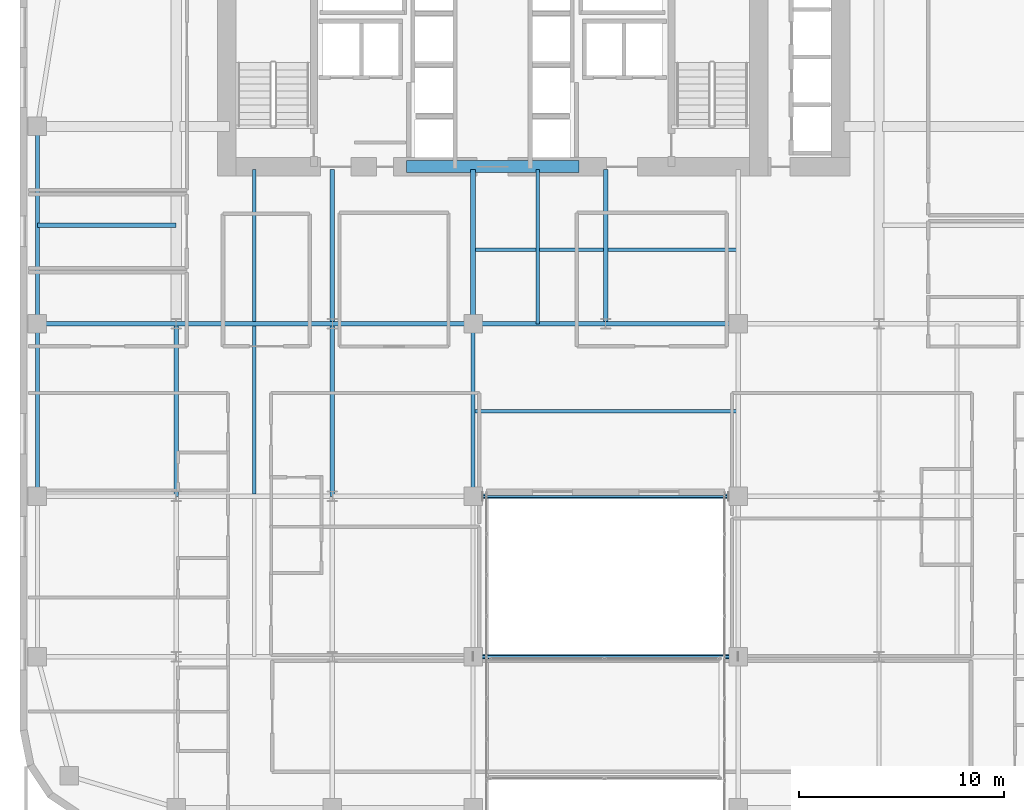
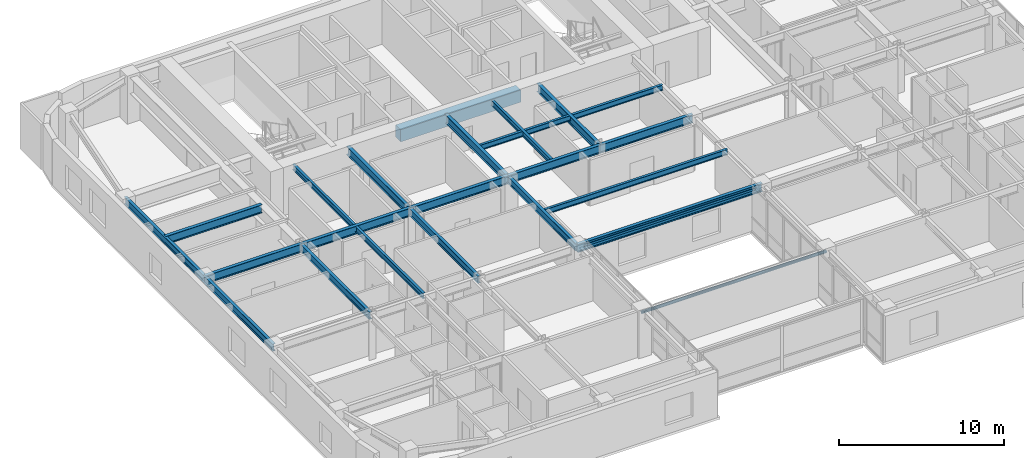
# One storey, part 4 of 25: 21 beams, 2 members.
"""IFC4 building model written with IfcOpenShell, lengths in metres."""

from ifc_helpers import new_model, si_unit, direction, frame, origin, origin_2d, place, context, subcontext, project, spatial, rectangle, hollow_rectangle, hollow_circle, i_section, extrude, source, transform, mapped, material, material_profile, profile_set, type_object, type_shapes, element, save


model = new_model("IFC4")

# Units and contexts
model_context = context("Model", 3, precision=1e-05, world=origin(), true_north=direction((0.0, 1.0)))
body_context = subcontext(model_context, "Body", "Model", "MODEL_VIEW")
ifc_project = project(units=[si_unit("LENGTHUNIT", "METRE"), si_unit("AREAUNIT", "SQUARE_METRE"), si_unit("VOLUMEUNIT", "CUBIC_METRE"), si_unit("PLANEANGLEUNIT", "RADIAN"), si_unit("MASSUNIT", "GRAM", prefix="KILO")], contexts=[model_context])

# Site, building, storey
site_placement = place(None, origin())
site = spatial("IfcSite", under=ifc_project, at=site_placement, CompositionType="ELEMENT")
building_placement = place(site_placement, origin())
building = spatial("IfcBuilding", under=site, at=building_placement, Name="Tolvann Quenvar Hotel", CompositionType="ELEMENT")
storey_placement = place(building_placement, frame((0.0, 0.0, 78.14990234375)))
storey = spatial("IfcBuildingStorey", under=building, at=storey_placement, Name="L19", CompositionType="ELEMENT", Elevation=78.14990234375)

# Beams
ifc_material_1 = material(Name="Concrete N50 (50 MPa)", Category="concrete")
ifc_material_profile_1 = material_profile(ifc_material_1, rectangle(XDim=0.60009765625, YDim=0.89990234375, at=origin_2d()), Name="RC600x900")
ifc_profile_set_1 = profile_set([ifc_material_profile_1], Name="Concrete N50 (50 MPa)")
beam_type_1 = type_object("IfcBeamType", Name="BM_LINT_RC600x900", PredefinedType="LINTEL", material=ifc_profile_set_1)
shared_shape_1 = source(origin(), body_context, "Body", "SweptSolid", [
    extrude(rectangle(XDim=0.60009765625, YDim=0.89990234375, at=origin_2d()), origin(), (0.0, 0.0, 1.0), 8.39990234375),
])
type_shapes(beam_type_1, [shared_shape_1])
beam_1_placement = place(storey_placement, frame((18.800048828125, 32.050048828125, 2.920166015625), z_axis=(1.0, 0.0, 0.0), x_axis=(0.0, 1.0, 0.0)))
element("IfcBeam", 1, at=beam_1_placement, inside=storey, type_object=beam_type_1, Name="Core Coupling Lintel Beam (L19)", PredefinedType="LINTEL", context=body_context, shape_type="MappedRepresentation", body=[
    mapped(shared_shape_1, transform((0.0, 0.0, 0.0), x_axis=(1.0, 0.0, 0.0), y_axis=(0.0, 1.0, 0.0), z_axis=(0.0, 0.0, 1.0), scale=1.0)),
])
ifc_material_2 = material(Name="Steel Grade 350", Category="steel")
ifc_material_profile_2 = material_profile(ifc_material_2, i_section(OverallWidth=0.22900390625, OverallDepth=0.612060546875, WebThickness=0.011962890625, FlangeThickness=0.01953125, FilletRadius=0.013916015625, at=origin_2d()), Name="610UB125")
ifc_profile_set_2 = profile_set([ifc_material_profile_2], Name="Steel Grade 350")
beam_type_2 = type_object("IfcBeamType", Name="BM_GIRD_610UB125", PredefinedType="BEAM", material=ifc_profile_set_2)
shared_shape_2 = source(origin(), body_context, "Body", "SweptSolid", [
    extrude(i_section(OverallWidth=0.22900390625, OverallDepth=0.612060546875, WebThickness=0.011962890625, FlangeThickness=0.01953125, FilletRadius=0.013916015625, at=origin_2d()), origin(), (0.0, 0.0, 1.0), 6.75),
])
for number, where, z_axis, x_axis, name in (
    (2, (0.85009765625, 24.39990234375, 3.064208984375), (1.0, 0.0, 0.0), (0.0, 1.0, 0.0), "BM-L19-EW-5-B5-C5"),
    (3, (0.85009765625, 29.199951171875, 3.064208984375), (1.0, 0.0, 0.0), (0.0, 1.0, 0.0), "BM-L19-EW-BC29"),
):
    element("IfcBeam", number, at=place(storey_placement, frame(where, z_axis=z_axis, x_axis=x_axis)), inside=storey, type_object=beam_type_2, Name=name, PredefinedType="BEAM", context=body_context, shape_type="MappedRepresentation", body=[
        mapped(shared_shape_2, transform((0.0, 0.0, 0.0), x_axis=(1.0, 0.0, 0.0), y_axis=(0.0, 1.0, 0.0), z_axis=(0.0, 0.0, 1.0), scale=1.0)),
    ])
shared_shape_3 = source(origin(), body_context, "Body", "SweptSolid", [
    extrude(i_section(OverallWidth=0.22900390625, OverallDepth=0.612060546875, WebThickness=0.011962890625, FlangeThickness=0.01953125, FilletRadius=0.013916015625, at=origin_2d()), origin(), (0.0, 0.0, 1.0), 7.599853515625),
])
beam_2_placement = place(storey_placement, frame((7.60009765625, 24.39990234375, 3.064208984375), z_axis=(1.0, 0.0, 0.0), x_axis=(0.0, 1.0, 0.0)))
element("IfcBeam", 4, at=beam_2_placement, inside=storey, type_object=beam_type_2, Name="BM-L19-EW-5-C5-D5", PredefinedType="BEAM", context=body_context, shape_type="MappedRepresentation", body=[
    mapped(shared_shape_3, transform((0.0, 0.0, 0.0), x_axis=(1.0, 0.0, 0.0), y_axis=(0.0, 1.0, 0.0), z_axis=(0.0, 0.0, 1.0), scale=1.0)),
])
shared_shape_4 = source(origin(), body_context, "Body", "SweptSolid", [
    extrude(i_section(OverallWidth=0.22900390625, OverallDepth=0.612060546875, WebThickness=0.011962890625, FlangeThickness=0.01953125, FilletRadius=0.013916015625, at=origin_2d()), origin(), (0.0, 0.0, 1.0), 6.85009765625),
])
beam_3_placement = place(storey_placement, frame((15.199951171875, 24.39990234375, 3.064208984375), z_axis=(1.0, 0.0, 0.0), x_axis=(0.0, 1.0, 0.0)))
element("IfcBeam", 5, at=beam_3_placement, inside=storey, type_object=beam_type_2, Name="BM-L19-EW-5-D5-E5", PredefinedType="BEAM", context=body_context, shape_type="MappedRepresentation", body=[
    mapped(shared_shape_4, transform((0.0, 0.0, 0.0), x_axis=(1.0, 0.0, 0.0), y_axis=(0.0, 1.0, 0.0), z_axis=(0.0, 0.0, 1.0), scale=1.0)),
])
shared_shape_5 = source(origin(), body_context, "Body", "SweptSolid", [
    extrude(i_section(OverallWidth=0.22900390625, OverallDepth=0.612060546875, WebThickness=0.011962890625, FlangeThickness=0.01953125, FilletRadius=0.013916015625, at=origin_2d()), origin(), (0.0, 0.0, 1.0), 12.89990234375),
])
beam_4_placement = place(storey_placement, frame((22.050048828125, 16.0, 3.064208984375), z_axis=(1.0, 0.0, 0.0), x_axis=(0.0, 1.0, 0.0)))
element("IfcBeam", 6, at=beam_4_placement, inside=storey, type_object=beam_type_2, Name="BM-L19-EW-4-E4-F4", PredefinedType="BEAM", context=body_context, shape_type="MappedRepresentation", body=[
    mapped(shared_shape_5, transform((0.0, 0.0, 0.0), x_axis=(1.0, 0.0, 0.0), y_axis=(0.0, 1.0, 0.0), z_axis=(0.0, 0.0, 1.0), scale=1.0)),
])
shared_shape_6 = source(origin(), body_context, "Body", "SweptSolid", [
    extrude(i_section(OverallWidth=0.22900390625, OverallDepth=0.612060546875, WebThickness=0.011962890625, FlangeThickness=0.01953125, FilletRadius=0.013916015625, at=origin_2d()), origin(), (0.0, 0.0, 1.0), 6.449951171875),
])
for number, where, z_axis, x_axis, name in (
    (7, (22.050048828125, 24.39990234375, 3.064208984375), (1.0, 0.0, 0.0), (0.0, 1.0, 0.0), "BM-L19-EW-5-E5-M5"),
    (8, (28.5, 24.39990234375, 3.064208984375), (1.0, 0.0, 0.0), (0.0, 1.0, 0.0), "BM-L19-EW-5-M5-F5"),
):
    element("IfcBeam", number, at=place(storey_placement, frame(where, z_axis=z_axis, x_axis=x_axis)), inside=storey, type_object=beam_type_2, Name=name, PredefinedType="BEAM", context=body_context, shape_type="MappedRepresentation", body=[
        mapped(shared_shape_6, transform((0.0, 0.0, 0.0), x_axis=(1.0, 0.0, 0.0), y_axis=(0.0, 1.0, 0.0), z_axis=(0.0, 0.0, 1.0), scale=1.0)),
    ])
ifc_material_profile_3 = material_profile(ifc_material_2, i_section(OverallWidth=0.208984375, OverallDepth=0.528076171875, WebThickness=0.009521484375, FlangeThickness=0.01318359375, FilletRadius=0.013916015625, at=origin_2d()), Name="530UB82")
ifc_profile_set_3 = profile_set([ifc_material_profile_3], Name="Steel Grade 350")
beam_type_3 = type_object("IfcBeamType", Name="BM_SPAND_530UB82", PredefinedType="SPANDREL", material=ifc_profile_set_3)
shared_shape_7 = source(origin(), body_context, "Body", "SweptSolid", [
    extrude(i_section(OverallWidth=0.208984375, OverallDepth=0.528076171875, WebThickness=0.009521484375, FlangeThickness=0.01318359375, FilletRadius=0.013916015625, at=origin_2d()), origin(), (0.0, 0.0, 1.0), 8.39990234375),
])
beam_5_placement = place(storey_placement, frame((0.85009765625, 16.0, 3.106201171875), z_axis=(0.0, 1.0, 0.0), x_axis=(-1.0, 0.0, 0.0)))
element("IfcBeam", 9, at=beam_5_placement, inside=storey, type_object=beam_type_3, Name="BM-L19-NS-B4-B5", PredefinedType="SPANDREL", context=body_context, shape_type="MappedRepresentation", body=[
    mapped(shared_shape_7, transform((0.0, 0.0, 0.0), x_axis=(1.0, 0.0, 0.0), y_axis=(0.0, 1.0, 0.0), z_axis=(0.0, 0.0, 1.0), scale=1.0)),
])
ifc_material_profile_4 = material_profile(ifc_material_2, i_section(OverallWidth=0.208984375, OverallDepth=0.532958984375, WebThickness=0.01025390625, FlangeThickness=0.015625, FilletRadius=0.013916015625, at=origin_2d()), Name="530UB92")
ifc_profile_set_4 = profile_set([ifc_material_profile_4], Name="Steel Grade 350")
beam_type_4 = type_object("IfcBeamType", Name="BM_GIRD_530UB92", PredefinedType="BEAM", material=ifc_profile_set_4)
shared_shape_8 = source(origin(), body_context, "Body", "SweptSolid", [
    extrude(i_section(OverallWidth=0.208984375, OverallDepth=0.532958984375, WebThickness=0.01025390625, FlangeThickness=0.015625, FilletRadius=0.013916015625, at=origin_2d()), origin(), (0.0, 0.0, 1.0), 8.39990234375),
])
type_shapes(beam_type_4, [shared_shape_8])
for number, where, z_axis, x_axis, name in (
    (10, (7.60009765625, 16.0, 3.103515625), (0.0, 1.0, 0.0), (-1.0, 0.0, 0.0), "BM-L19-NS-C4-C5"),
    (11, (15.199951171875, 16.0, 3.103515625), (0.0, 1.0, 0.0), (-1.0, 0.0, 0.0), "BM-L19-NS-D4-D5"),
    (12, (22.050048828125, 16.0, 3.103515625), (0.0, 1.0, 0.0), (-1.0, 0.0, 0.0), "BM-L19-NS-E4-E5"),
):
    element("IfcBeam", number, at=place(storey_placement, frame(where, z_axis=z_axis, x_axis=x_axis)), inside=storey, type_object=beam_type_4, Name=name, PredefinedType="BEAM", context=body_context, shape_type="MappedRepresentation", body=[
        mapped(shared_shape_8, transform((0.0, 0.0, 0.0), x_axis=(1.0, 0.0, 0.0), y_axis=(0.0, 1.0, 0.0), z_axis=(0.0, 0.0, 1.0), scale=1.0)),
    ])
shared_shape_9 = source(origin(), body_context, "Body", "SweptSolid", [
    extrude(i_section(OverallWidth=0.22900390625, OverallDepth=0.612060546875, WebThickness=0.011962890625, FlangeThickness=0.01953125, FilletRadius=0.013916015625, at=origin_2d()), origin(), (0.0, 0.0, 1.0), 7.5),
])
type_shapes(beam_type_2, [shared_shape_2, shared_shape_3, shared_shape_4, shared_shape_5, shared_shape_6, shared_shape_9])
for number, where, z_axis, x_axis, name in (
    (13, (15.199951171875, 24.39990234375, 3.064208984375), (0.0, 1.0, 0.0), (-1.0, 0.0, 0.0), "BM-L19-CORE-D5"),
    (14, (22.050048828125, 24.39990234375, 3.064208984375), (0.0, 1.0, 0.0), (-1.0, 0.0, 0.0), "BM-L19-CORE-E5"),
    (15, (28.5, 24.39990234375, 3.064208984375), (0.0, 1.0, 0.0), (-1.0, 0.0, 0.0), "BM-L19-CORE-M5"),
):
    element("IfcBeam", number, at=place(storey_placement, frame(where, z_axis=z_axis, x_axis=x_axis)), inside=storey, type_object=beam_type_2, Name=name, PredefinedType="BEAM", context=body_context, shape_type="MappedRepresentation", body=[
        mapped(shared_shape_9, transform((0.0, 0.0, 0.0), x_axis=(1.0, 0.0, 0.0), y_axis=(0.0, 1.0, 0.0), z_axis=(0.0, 0.0, 1.0), scale=1.0)),
    ])
shared_shape_10 = source(origin(), body_context, "Body", "SweptSolid", [
    extrude(i_section(OverallWidth=0.208984375, OverallDepth=0.528076171875, WebThickness=0.009521484375, FlangeThickness=0.01318359375, FilletRadius=0.013916015625, at=origin_2d()), origin(), (0.0, 0.0, 1.0), 9.60009765625),
])
type_shapes(beam_type_3, [shared_shape_7, shared_shape_10])
beam_6_placement = place(storey_placement, frame((0.85009765625, 24.39990234375, 3.106201171875), z_axis=(0.0, 1.0, 0.0), x_axis=(-1.0, 0.0, 0.0)))
element("IfcBeam", 16, at=beam_6_placement, inside=storey, type_object=beam_type_3, Name="BM-L19-FLK-W1", PredefinedType="SPANDREL", context=body_context, shape_type="MappedRepresentation", body=[
    mapped(shared_shape_10, transform((0.0, 0.0, 0.0), x_axis=(1.0, 0.0, 0.0), y_axis=(0.0, 1.0, 0.0), z_axis=(0.0, 0.0, 1.0), scale=1.0)),
])
ifc_material_profile_5 = material_profile(ifc_material_2, i_section(OverallWidth=0.177978515625, OverallDepth=0.406005859375, WebThickness=0.0078125, FlangeThickness=0.0126953125, FilletRadius=0.011474609375, at=origin_2d()), Name="410UB60")
ifc_profile_set_5 = profile_set([ifc_material_profile_5], Name="Steel Grade 350")
beam_type_5 = type_object("IfcBeamType", Name="BM_JOIST_410UB60", PredefinedType="JOIST", material=ifc_profile_set_5)
shared_shape_11 = source(origin(), body_context, "Body", "SweptSolid", [
    extrude(i_section(OverallWidth=0.177978515625, OverallDepth=0.406005859375, WebThickness=0.0078125, FlangeThickness=0.0126953125, FilletRadius=0.011474609375, at=origin_2d()), origin(), (0.0, 0.0, 1.0), 12.89990234375),
])
for number, where, z_axis, x_axis, name in (
    (17, (22.050048828125, 20.14990234375, 3.1669921875), (1.0, 0.0, 0.0), (0.0, 1.0, 0.0), "BM-L19-SPINE-20"),
    (18, (22.050048828125, 28.0, 3.1669921875), (1.0, 0.0, 0.0), (0.0, 1.0, 0.0), "BM-L19-SPINE-28"),
):
    element("IfcBeam", number, at=place(storey_placement, frame(where, z_axis=z_axis, x_axis=x_axis)), inside=storey, type_object=beam_type_5, Name=name, PredefinedType="JOIST", context=body_context, shape_type="MappedRepresentation", body=[
        mapped(shared_shape_11, transform((0.0, 0.0, 0.0), x_axis=(1.0, 0.0, 0.0), y_axis=(0.0, 1.0, 0.0), z_axis=(0.0, 0.0, 1.0), scale=1.0)),
    ])
shared_shape_12 = source(origin(), body_context, "Body", "SweptSolid", [
    extrude(i_section(OverallWidth=0.177978515625, OverallDepth=0.406005859375, WebThickness=0.0078125, FlangeThickness=0.0126953125, FilletRadius=0.011474609375, at=origin_2d()), origin(), (0.0, 0.0, 1.0), 8.18310546875),
])
beam_7_placement = place(storey_placement, frame((11.39990234375, 16.1083984375, 3.1669921875), z_axis=(0.0, 1.0, 0.0), x_axis=(-1.0, 0.0, 0.0)))
element("IfcBeam", 19, at=beam_7_placement, inside=storey, type_object=beam_type_5, Name="BJ-L19-114-160", PredefinedType="JOIST", context=body_context, shape_type="MappedRepresentation", body=[
    mapped(shared_shape_12, transform((0.0, 0.0, 0.0), x_axis=(1.0, 0.0, 0.0), y_axis=(0.0, 1.0, 0.0), z_axis=(0.0, 0.0, 1.0), scale=1.0)),
])
shared_shape_13 = source(origin(), body_context, "Body", "SweptSolid", [
    extrude(i_section(OverallWidth=0.177978515625, OverallDepth=0.406005859375, WebThickness=0.0078125, FlangeThickness=0.0126953125, FilletRadius=0.011474609375, at=origin_2d()), origin(), (0.0, 0.0, 1.0), 7.391357421875),
])
beam_8_placement = place(storey_placement, frame((11.39990234375, 24.508544921875, 3.1669921875), z_axis=(0.0, 1.0, 0.0), x_axis=(-1.0, 0.0, 0.0)))
element("IfcBeam", 20, at=beam_8_placement, inside=storey, type_object=beam_type_5, Name="BJ-L19-114-244", PredefinedType="JOIST", context=body_context, shape_type="MappedRepresentation", body=[
    mapped(shared_shape_13, transform((0.0, 0.0, 0.0), x_axis=(1.0, 0.0, 0.0), y_axis=(0.0, 1.0, 0.0), z_axis=(0.0, 0.0, 1.0), scale=1.0)),
])
shared_shape_14 = source(origin(), body_context, "Body", "SweptSolid", [
    extrude(i_section(OverallWidth=0.177978515625, OverallDepth=0.406005859375, WebThickness=0.0078125, FlangeThickness=0.0126953125, FilletRadius=0.011474609375, at=origin_2d()), origin(), (0.0, 0.0, 1.0), 7.5),
])
type_shapes(beam_type_5, [shared_shape_11, shared_shape_12, shared_shape_13, shared_shape_14])
beam_9_placement = place(storey_placement, frame((25.199951171875, 24.39990234375, 3.1669921875), z_axis=(0.0, 1.0, 0.0), x_axis=(-1.0, 0.0, 0.0)))
element("IfcBeam", 21, at=beam_9_placement, inside=storey, type_object=beam_type_5, Name="BJ-L19-252-244", PredefinedType="JOIST", context=body_context, shape_type="MappedRepresentation", body=[
    mapped(shared_shape_14, transform((0.0, 0.0, 0.0), x_axis=(1.0, 0.0, 0.0), y_axis=(0.0, 1.0, 0.0), z_axis=(0.0, 0.0, 1.0), scale=1.0)),
])

# Members
ifc_material_3 = material(Name="Steel Grade 450 (C450L0)", Category="steel")
ifc_material_profile_6 = material_profile(ifc_material_3, hollow_circle(Radius=0.109619140625, WallThickness=0.00830078125, at=origin_2d()), Name="219.1x8.2CHS")
ifc_profile_set_6 = profile_set([ifc_material_profile_6], Name="Steel Grade 450 (C450L0)")
member_type_1 = type_object("IfcMemberType", Name="MEM_BRG_219CHS", PredefinedType="BRACE", material=ifc_profile_set_6)
shared_shape_15 = source(origin(), body_context, "Body", "SweptSolid", [
    extrude(hollow_circle(Radius=0.109619140625, WallThickness=0.00830078125, at=origin_2d()), origin(), (0.0, 0.0, 1.0), 12.89990234375),
])
type_shapes(member_type_1, [shared_shape_15])
member_1_placement = place(storey_placement, frame((22.050048828125, 8.199951171875, 3.02001953125), z_axis=(1.0, 0.0, 0.0), x_axis=(0.0, 1.0, 0.0)))
element("IfcMember", 22, at=member_1_placement, inside=storey, type_object=member_type_1, Name="Skybridge Tie Strut (L19)", PredefinedType="BRACE", context=body_context, shape_type="MappedRepresentation", body=[
    mapped(shared_shape_15, transform((0.0, 0.0, 0.0), x_axis=(1.0, 0.0, 0.0), y_axis=(0.0, 1.0, 0.0), z_axis=(0.0, 0.0, 1.0), scale=1.0)),
])
ifc_material_profile_7 = material_profile(ifc_material_3, hollow_rectangle(XDim=0.10009765625, YDim=0.14990234375, WallThickness=0.006103515625, at=origin_2d()), Name="150x100x6RHS")
ifc_profile_set_7 = profile_set([ifc_material_profile_7], Name="Steel Grade 450 (C450L0)")
member_type_2 = type_object("IfcMemberType", Name="MEM_GIRT_150RHS", PredefinedType="CHORD", material=ifc_profile_set_7)
shared_shape_16 = source(origin(), body_context, "Body", "SweptSolid", [
    extrude(hollow_rectangle(XDim=0.10009765625, YDim=0.14990234375, WallThickness=0.006103515625, at=origin_2d()), origin(), (0.0, 0.0, 1.0), 11.97021484375),
])
type_shapes(member_type_2, [shared_shape_16])
member_2_placement = place(storey_placement, frame((22.514892578125, 16.0, 3.070068359375), z_axis=(1.0, 0.0, 0.0), x_axis=(0.0, 1.0, 0.0)))
element("IfcMember", 23, at=member_2_placement, inside=storey, type_object=member_type_2, Name="Atrium Slot Spandrel Girt (L19)", PredefinedType="CHORD", context=body_context, shape_type="MappedRepresentation", body=[
    mapped(shared_shape_16, transform((0.0, 0.0, 0.0), x_axis=(1.0, 0.0, 0.0), y_axis=(0.0, 1.0, 0.0), z_axis=(0.0, 0.0, 1.0), scale=1.0)),
])

save(model, "model.ifc")
